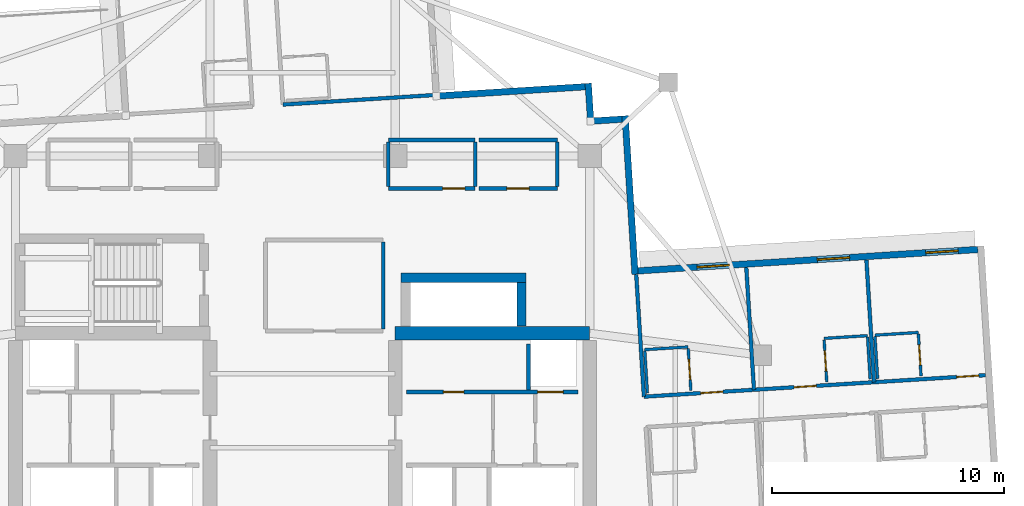
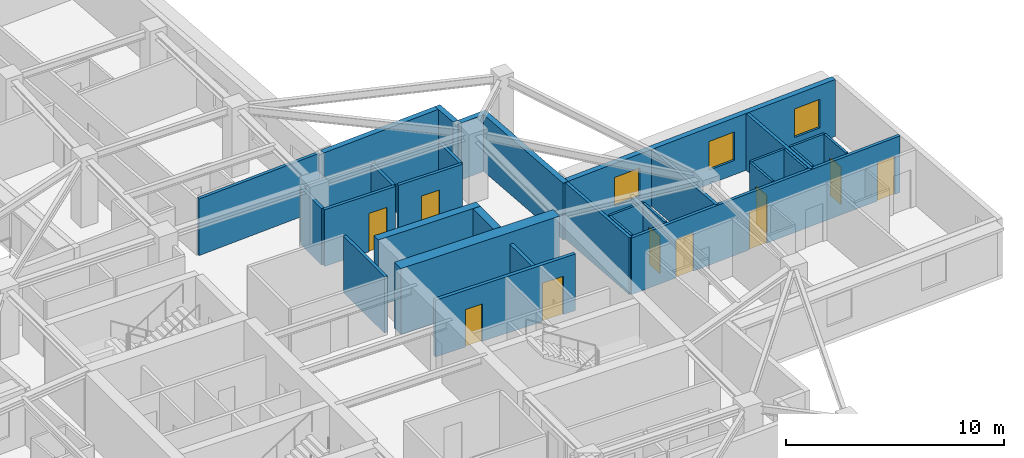
# One storey, part 8 of 13: 32 walls, 10 doors, 3 windows, 13 openings.
"""IFC4 building model written with IfcOpenShell, lengths in metres."""

from ifc_helpers import new_model, si_unit, direction, frame, frame_2d, origin, place, context, subcontext, project, spatial, rectangle, extrude, material, layer, layer_set, type_object, element, fill, save


model = new_model("IFC4")

# Units and contexts
model_context = context("Model", 3, precision=1e-05, world=origin(), true_north=direction((0.0, 1.0)))
body_context = subcontext(model_context, "Body", "Model", "MODEL_VIEW")
ifc_project = project(units=[si_unit("LENGTHUNIT", "METRE"), si_unit("AREAUNIT", "SQUARE_METRE"), si_unit("VOLUMEUNIT", "CUBIC_METRE"), si_unit("PLANEANGLEUNIT", "RADIAN"), si_unit("MASSUNIT", "GRAM", prefix="KILO")], contexts=[model_context])

# Site, building, storey
site_placement = place(None, origin())
site = spatial("IfcSite", under=ifc_project, at=site_placement, CompositionType="ELEMENT")
building_placement = place(site_placement, origin())
building = spatial("IfcBuilding", under=site, at=building_placement, Name="Qingluan Cross Belvedere", CompositionType="ELEMENT")
storey_placement = place(building_placement, frame((0.0, 0.0, 201.300048828125)))
storey = spatial("IfcBuildingStorey", under=building, at=storey_placement, Name="L50", CompositionType="ELEMENT", Elevation=201.300048828125)

# Walls
ifc_material_1 = material(Name="Concrete C50", Category="concrete")
ifc_layer_1 = layer(ifc_material_1, 0.449951171875, Name="CoreShearWall_450")
ifc_layer_set_1 = layer_set([ifc_layer_1], Name="Concrete C50")
wall_type_1 = type_object("IfcWallType", Name="CoreShearWall_450", PredefinedType="SHEAR", material=ifc_layer_set_1)
wall_1_placement = place(storey_placement, frame((4.25, 7.35009765625, 0.0), z_axis=(0.0, 0.0, 1.0), x_axis=(1.0, 0.0, 0.0)))
element("IfcWall", 1, at=wall_1_placement, inside=storey, type_object=wall_type_1, Name="Express shuttle core wall L50-N", PredefinedType="SHEAR", context=body_context, shape_type="SweptSolid", body=[
    extrude(rectangle(XDim=5.39990234375, YDim=0.39990234375, at=frame_2d((2.699951171875, 0.0))), origin(), (0.0, 0.0, 1.0), 3.699951171875),
])
wall_2_placement = place(storey_placement, frame((9.449951171875, 5.2548828125, 0.0), z_axis=(0.0, 0.0, 1.0), x_axis=(0.0, 1.0, 0.0)))
element("IfcWall", 2, at=wall_2_placement, inside=storey, type_object=wall_type_1, Name="Express shuttle core wall L50-E", PredefinedType="SHEAR", context=body_context, shape_type="SweptSolid", body=[
    extrude(rectangle(XDim=1.885009765625, YDim=0.39990234375, at=frame_2d((0.9423828125, 0.0))), origin(), (0.0, 0.0, 1.0), 3.699951171875),
])
ifc_material_2 = material(Name="Concrete C60", Category="concrete")
ifc_layer_2 = layer(ifc_material_2, 0.60009765625, Name="CoreShearWall_600")
ifc_layer_set_2 = layer_set([ifc_layer_2], Name="Concrete C60")
wall_type_2 = type_object("IfcWallType", Name="CoreShearWall_600", PredefinedType="SHEAR", material=ifc_layer_set_2)
wall_3_placement = place(storey_placement, frame((4.0, 4.949951171875, 0.0), z_axis=(0.0, 0.0, 1.0), x_axis=(1.0, 0.0, 0.0)))
element("IfcWall", 3, at=wall_3_placement, inside=storey, type_object=wall_type_2, Name="Split core E shear wall L50-N", PredefinedType="SHEAR", context=body_context, shape_type="SweptSolid", body=[
    extrude(rectangle(XDim=8.39990234375, YDim=0.60009765625, at=frame_2d((4.199951171875, 0.0))), origin(), (0.0, 0.0, 1.0), 3.699951171875),
])

# Wall, opening, door
ifc_material_3 = material(Name="Gypsum plasterboard on steel stud acoustic partition", Category="steel")
ifc_layer_3 = layer(ifc_material_3, 0.159912109375, Name="CorridorPartition_160")
ifc_layer_set_3 = layer_set([ifc_layer_3], Name="Gypsum plasterboard on steel stud acoustic partition")
wall_type_3 = type_object("IfcWallType", Name="CorridorPartition_160", PredefinedType="PARTITIONING", material=ifc_layer_set_3)
wall_4_placement = place(storey_placement, frame((3.699951171875, 11.199951171875, 0.0), z_axis=(0.0, 0.0, 1.0), x_axis=(1.0, 0.0, 0.0)))
wall_4 = element("IfcWall", 4, at=wall_4_placement, inside=storey, type_object=wall_type_3, Name="Partition L50:q_ne1:S", PredefinedType="PARTITIONING", context=body_context, shape_type="SweptSolid", body=[
    extrude(rectangle(XDim=3.75, YDim=0.159912109375, at=frame_2d((1.875, 0.0))), origin(), (0.0, 0.0, 1.0), 3.169921875),
])
opening_1_placement = place(wall_4_placement, frame((2.344970703125, 0.0, 0.0)))
opening_1 = element("IfcOpeningElement", 5, at=opening_1_placement, cuts=wall_4, Name="Opening GD-10", PredefinedType="OPENING", context=body_context, shape_type="SweptSolid", body=[
    extrude(rectangle(XDim=0.9599609375, YDim=2.14990234375, at=frame_2d((0.47998046875, 1.074951171875))), frame((0.0, 0.08984375, 0.0), z_axis=(0.0, -1.0, 0.0), x_axis=(1.0, 0.0, 0.0)), (0.0, 0.0, 1.0), 0.179931640625),
])
ifc_material_4 = material(Name="Timber oak fire-rated acoustic guestroom door", Category="wood")
door_type_1 = type_object("IfcDoorType", Name="GuestEntryDoor_FD60", OperationType="NOTDEFINED", PredefinedType="DOOR", material=ifc_material_4)
door_1_placement = place(opening_1_placement, origin())
door_1 = element("IfcDoor", 6, at=door_1_placement, inside=storey, type_object=door_type_1, Name="Private chef dining room L50 door", OperationType="SINGLE_SWING_RIGHT", OverallHeight=2.14990234375, OverallWidth=0.9599609375, PredefinedType="DOOR", context=body_context, shape_type="SweptSolid", body=[
    extrude(rectangle(XDim=0.9599609375, YDim=2.14990234375, at=frame_2d((0.47998046875, 1.074951171875))), frame((0.0, 0.02490234375, 0.0), z_axis=(0.0, -1.0, 0.0), x_axis=(1.0, 0.0, 0.0)), (0.0, 0.0, 1.0), 0.050048828125),
])
fill(opening_1, door_1)

# Walls
wall_5_placement = place(storey_placement, frame((3.699951171875, 13.300048828125, 0.0), z_axis=(0.0, 0.0, 1.0), x_axis=(1.0, 0.0, 0.0)))
element("IfcWall", 7, at=wall_5_placement, inside=storey, type_object=wall_type_3, Name="Partition L50:q_ne1:N", PredefinedType="PARTITIONING", context=body_context, shape_type="SweptSolid", body=[
    extrude(rectangle(XDim=3.75, YDim=0.159912109375, at=frame_2d((1.875, 0.0))), origin(), (0.0, 0.0, 1.0), 3.169921875),
])
for number, where, z_axis, x_axis, name in (
    (8, (3.699951171875, 11.284912109375, 0.0), (0.0, 0.0, 1.0), (0.0, 1.0, 0.0), "Partition L50:q_ne1:W"),
    (9, (7.449951171875, 11.284912109375, 0.0), (0.0, 0.0, 1.0), (0.0, 1.0, 0.0), "Partition L50:q_ne1:E"),
):
    element("IfcWall", number, at=place(storey_placement, frame(where, z_axis=z_axis, x_axis=x_axis)), inside=storey, type_object=wall_type_3, Name=name, PredefinedType="PARTITIONING", context=body_context, shape_type="SweptSolid", body=[
        extrude(rectangle(XDim=1.93017578125, YDim=0.159912109375, at=frame_2d((0.965087890625, 0.0))), origin(), (0.0, 0.0, 1.0), 3.169921875),
    ])

# Wall, opening, door
wall_6_placement = place(storey_placement, frame((7.610107421875, 11.199951171875, 0.0), z_axis=(0.0, 0.0, 1.0), x_axis=(1.0, 0.0, 0.0)))
wall_6 = element("IfcWall", 10, at=wall_6_placement, inside=storey, type_object=wall_type_3, Name="Partition L50:q_ne2:S", PredefinedType="PARTITIONING", context=body_context, shape_type="SweptSolid", body=[
    extrude(rectangle(XDim=3.389892578125, YDim=0.159912109375, at=frame_2d((1.69482421875, 0.0))), origin(), (0.0, 0.0, 1.0), 3.169921875),
])
opening_2_placement = place(wall_6_placement, frame((1.215087890625, 0.0, 0.0)))
opening_2 = element("IfcOpeningElement", 11, at=opening_2_placement, cuts=wall_6, Name="Opening GD-10", PredefinedType="OPENING", context=body_context, shape_type="SweptSolid", body=[
    extrude(rectangle(XDim=0.9599609375, YDim=2.14990234375, at=frame_2d((0.47998046875, 1.074951171875))), frame((0.0, 0.08984375, 0.0), z_axis=(0.0, -1.0, 0.0), x_axis=(1.0, 0.0, 0.0)), (0.0, 0.0, 1.0), 0.179931640625),
])
door_2_placement = place(opening_2_placement, origin())
door_2 = element("IfcDoor", 12, at=door_2_placement, inside=storey, type_object=door_type_1, Name="Northeast tea salon L50 door", OperationType="SINGLE_SWING_LEFT", OverallHeight=2.14990234375, OverallWidth=0.9599609375, PredefinedType="DOOR", context=body_context, shape_type="SweptSolid", body=[
    extrude(rectangle(XDim=0.9599609375, YDim=2.14990234375, at=frame_2d((0.47998046875, 1.074951171875))), frame((0.0, 0.02490234375, 0.0), z_axis=(0.0, -1.0, 0.0), x_axis=(1.0, 0.0, 0.0)), (0.0, 0.0, 1.0), 0.050048828125),
])
fill(opening_2, door_2)

# Walls
wall_7_placement = place(storey_placement, frame((7.610107421875, 13.300048828125, 0.0), z_axis=(0.0, 0.0, 1.0), x_axis=(1.0, 0.0, 0.0)))
element("IfcWall", 13, at=wall_7_placement, inside=storey, type_object=wall_type_3, Name="Partition L50:q_ne2:N", PredefinedType="PARTITIONING", context=body_context, shape_type="SweptSolid", body=[
    extrude(rectangle(XDim=3.389892578125, YDim=0.159912109375, at=frame_2d((1.69482421875, 0.0))), origin(), (0.0, 0.0, 1.0), 3.169921875),
])
wall_8_placement = place(storey_placement, frame((11.0, 11.284912109375, 0.0), z_axis=(0.0, 0.0, 1.0), x_axis=(0.0, 1.0, 0.0)))
element("IfcWall", 14, at=wall_8_placement, inside=storey, type_object=wall_type_3, Name="Partition L50:q_ne2:E", PredefinedType="PARTITIONING", context=body_context, shape_type="SweptSolid", body=[
    extrude(rectangle(XDim=1.93017578125, YDim=0.159912109375, at=frame_2d((0.965087890625, 0.0))), origin(), (0.0, 0.0, 1.0), 3.169921875),
])
wall_9_placement = place(storey_placement, frame((3.47998046875, 5.135009765625, 0.0), z_axis=(0.0, 0.0, 1.0), x_axis=(0.0, 1.0, 0.0)))
element("IfcWall", 15, at=wall_9_placement, inside=storey, type_object=wall_type_3, Name="Partition L50:sky_tea_alcove:E", PredefinedType="PARTITIONING", context=body_context, shape_type="SweptSolid", body=[
    extrude(rectangle(XDim=3.760009765625, YDim=0.159912109375, at=frame_2d((1.8798828125, 0.0))), origin(), (0.0, 0.0, 1.0), 3.169921875),
])

# Wall, openings, doors
wall_10_placement = place(storey_placement, frame((14.740234375, 2.2099609375, 0.0), z_axis=(0.0, 0.0, 1.0), x_axis=(0.998026529199, 0.062793686106, 0.0)))
wall_10 = element("IfcWall", 16, at=wall_10_placement, inside=storey, type_object=wall_type_3, Name="Partition L50:E:c0", PredefinedType="PARTITIONING", context=body_context, shape_type="SweptSolid", body=[
    extrude(rectangle(XDim=14.781982421875, YDim=0.159912109375, at=frame_2d((7.39111328125, 0.0))), origin(), (0.0, 0.0, 1.0), 3.169921875),
])
opening_3_placement = place(wall_10_placement, frame((2.4560546875, 0.0, 0.0)))
opening_3 = element("IfcOpeningElement", 17, at=opening_3_placement, cuts=wall_10, Name="Opening GD-10", PredefinedType="OPENING", context=body_context, shape_type="SweptSolid", body=[
    extrude(rectangle(XDim=0.9599609375, YDim=2.14990234375, at=frame_2d((0.47998046875, 1.074951171875))), frame((0.0, 0.08984375, 0.0), z_axis=(0.0, -1.0, 0.0), x_axis=(1.0, 0.0, 0.0)), (0.0, 0.0, 1.0), 0.179931640625),
])
opening_4_placement = place(wall_10_placement, frame((6.5009765625, 0.0, 0.0)))
opening_4 = element("IfcOpeningElement", 18, at=opening_4_placement, cuts=wall_10, Name="Opening GD-10", PredefinedType="OPENING", context=body_context, shape_type="SweptSolid", body=[
    extrude(rectangle(XDim=0.9599609375, YDim=2.14990234375, at=frame_2d((0.47998046875, 1.074951171875))), frame((0.0, 0.08984375, 0.0), z_axis=(0.0, -1.0, 0.0), x_axis=(1.0, 0.0, 0.0)), (0.0, 0.0, 1.0), 0.179931640625),
])
opening_5_placement = place(wall_10_placement, frame((13.530029296875, 0.0, 0.0)))
opening_5 = element("IfcOpeningElement", 19, at=opening_5_placement, cuts=wall_10, Name="Opening GD-10", PredefinedType="OPENING", context=body_context, shape_type="SweptSolid", body=[
    extrude(rectangle(XDim=0.9599609375, YDim=2.14990234375, at=frame_2d((0.47998046875, 1.074951171875))), frame((0.0, 0.08984375, 0.0), z_axis=(0.0, -1.0, 0.0), x_axis=(1.0, 0.0, 0.0)), (0.0, 0.0, 1.0), 0.179931640625),
])
door_3_placement = place(opening_3_placement, origin())
door_3 = element("IfcDoor", 20, at=door_3_placement, inside=storey, type_object=door_type_1, Name="Guest entry fire door 5001", OperationType="SINGLE_SWING_LEFT", OverallHeight=2.14990234375, OverallWidth=0.9599609375, PredefinedType="DOOR", context=body_context, shape_type="SweptSolid", body=[
    extrude(rectangle(XDim=0.9599609375, YDim=2.14990234375, at=frame_2d((0.47998046875, 1.074951171875))), frame((0.0, 0.02490234375, 0.0), z_axis=(0.0, -1.0, 0.0), x_axis=(1.0, 0.0, 0.0)), (0.0, 0.0, 1.0), 0.050048828125),
])
fill(opening_3, door_3)
door_4_placement = place(opening_4_placement, origin())
door_4 = element("IfcDoor", 21, at=door_4_placement, inside=storey, type_object=door_type_1, Name="Guest entry fire door 5002", OperationType="SINGLE_SWING_LEFT", OverallHeight=2.14990234375, OverallWidth=0.9599609375, PredefinedType="DOOR", context=body_context, shape_type="SweptSolid", body=[
    extrude(rectangle(XDim=0.9599609375, YDim=2.14990234375, at=frame_2d((0.47998046875, 1.074951171875))), frame((0.0, 0.02490234375, 0.0), z_axis=(0.0, -1.0, 0.0), x_axis=(1.0, 0.0, 0.0)), (0.0, 0.0, 1.0), 0.050048828125),
])
fill(opening_4, door_4)
door_5_placement = place(opening_5_placement, origin())
door_5 = element("IfcDoor", 22, at=door_5_placement, inside=storey, type_object=door_type_1, Name="Guest entry fire door 5003", OperationType="SINGLE_SWING_LEFT", OverallHeight=2.14990234375, OverallWidth=0.9599609375, PredefinedType="DOOR", context=body_context, shape_type="SweptSolid", body=[
    extrude(rectangle(XDim=0.9599609375, YDim=2.14990234375, at=frame_2d((0.47998046875, 1.074951171875))), frame((0.0, 0.02490234375, 0.0), z_axis=(0.0, -1.0, 0.0), x_axis=(1.0, 0.0, 0.0)), (0.0, 0.0, 1.0), 0.050048828125),
])
fill(opening_5, door_5)

# Walls
for number, where, z_axis, x_axis, name in (
    (23, (14.740234375, 2.2099609375, 0.0), (0.0, 0.0, 1.0), (-0.062789003246, 0.998026823824, 0.0), "Partition L50:E:s0"),
    (24, (19.493896484375, 2.509033203125, 0.0), (0.0, 0.0, 1.0), (-0.062789003246, 0.998026823824, 0.0), "Partition L50:E:d0_0"),
    (25, (24.681640625, 2.83544921875, 0.0), (0.0, 0.0, 1.0), (-0.062789003246, 0.998026823824, 0.0), "Partition L50:E:d0_1"),
):
    element("IfcWall", number, at=place(storey_placement, frame(where, z_axis=z_axis, x_axis=x_axis)), inside=storey, type_object=wall_type_3, Name=name, PredefinedType="PARTITIONING", context=body_context, shape_type="SweptSolid", body=[
        extrude(rectangle(XDim=5.2919921875, YDim=0.159912109375, at=frame_2d((2.64599609375, 0.0))), origin(), (0.0, 0.0, 1.0), 3.169921875),
    ])
wall_11_placement = place(storey_placement, frame((-0.8525390625, 14.82568359375, 0.0), z_axis=(0.0, 0.0, 1.0), x_axis=(0.998026165557, 0.062799465472, 0.0)))
element("IfcWall", 26, at=wall_11_placement, inside=storey, type_object=wall_type_3, Name="Partition L50:N:s0", PredefinedType="PARTITIONING", context=body_context, shape_type="SweptSolid", body=[
    extrude(rectangle(XDim=6.64013671875, YDim=0.159912109375, at=frame_2d((3.320068359375, 0.0))), origin(), (0.0, 0.0, 1.0), 3.169921875),
])

# Wall, opening, door
ifc_material_5 = material(Name="Moisture-resistant gypsum board lining")
ifc_layer_4 = layer(ifc_material_5, 0.1201171875, Name="EnsuiteWetPartition_120")
ifc_layer_set_4 = layer_set([ifc_layer_4], Name="Moisture-resistant gypsum board lining")
wall_type_4 = type_object("IfcWallType", Name="EnsuiteWetPartition_120", PredefinedType="PARTITIONING", material=ifc_layer_set_4)
wall_12_placement = place(storey_placement, frame((16.767578125, 2.477783203125, 0.0), z_axis=(0.0, 0.0, 1.0), x_axis=(-0.062779145668, 0.998027443946, 0.0)))
wall_12 = element("IfcWall", 27, at=wall_12_placement, inside=storey, type_object=wall_type_4, Name="Partition L50:E:bs0_0", PredefinedType="PARTITIONING", context=body_context, shape_type="SweptSolid", body=[
    extrude(rectangle(XDim=1.820068359375, YDim=0.1201171875, at=frame_2d((0.91015625, 0.0))), origin(), (0.0, 0.0, 1.0), 3.169921875),
])
opening_6_placement = place(wall_12_placement, frame((0.469970703125, 0.0, 0.0)))
opening_6 = element("IfcOpeningElement", 28, at=opening_6_placement, cuts=wall_12, Name="Opening BD-09", PredefinedType="OPENING", context=body_context, shape_type="SweptSolid", body=[
    extrude(rectangle(XDim=0.8798828125, YDim=2.10009765625, at=frame_2d((0.43994140625, 1.050048828125))), frame((0.0, 0.070068359375, 0.0), z_axis=(0.0, -1.0, 0.0), x_axis=(1.0, 0.0, 0.0)), (0.0, 0.0, 1.0), 0.14013671875),
])
ifc_material_6 = material(Name="Moisture-sealed timber en-suite door", Category="wood")
door_type_2 = type_object("IfcDoorType", Name="BathroomDoor_880", OperationType="NOTDEFINED", PredefinedType="DOOR", material=ifc_material_6)
door_6_placement = place(opening_6_placement, origin())
door_6 = element("IfcDoor", 29, at=door_6_placement, inside=storey, type_object=door_type_2, Name="Bathroom door 5001", OperationType="SINGLE_SWING_RIGHT", OverallHeight=2.10009765625, OverallWidth=0.8798828125, PredefinedType="DOOR", context=body_context, shape_type="SweptSolid", body=[
    extrude(rectangle(XDim=0.8798828125, YDim=2.10009765625, at=frame_2d((0.43994140625, 1.050048828125))), frame((0.0, 0.02490234375, 0.0), z_axis=(0.0, -1.0, 0.0), x_axis=(1.0, 0.0, 0.0)), (0.0, 0.0, 1.0), 0.050048828125),
])
fill(opening_6, door_6)

# Walls
wall_13_placement = place(storey_placement, frame((14.89111328125, 2.359619140625, 0.0), z_axis=(0.0, 0.0, 1.0), x_axis=(-0.062779145668, 0.998027443946, 0.0)))
element("IfcWall", 30, at=wall_13_placement, inside=storey, type_object=wall_type_4, Name="Partition L50:E:bw0_0", PredefinedType="PARTITIONING", context=body_context, shape_type="SweptSolid", body=[
    extrude(rectangle(XDim=1.820068359375, YDim=0.1201171875, at=frame_2d((0.91015625, 0.0))), origin(), (0.0, 0.0, 1.0), 3.169921875),
])
wall_14_placement = place(storey_placement, frame((14.77294921875, 4.240966796875, 0.0), z_axis=(0.0, 0.0, 1.0), x_axis=(0.998030789148, 0.062725942896, 0.0)))
element("IfcWall", 31, at=wall_14_placement, inside=storey, type_object=wall_type_4, Name="Partition L50:E:bn0_0", PredefinedType="PARTITIONING", context=body_context, shape_type="SweptSolid", body=[
    extrude(rectangle(XDim=1.8798828125, YDim=0.1201171875, at=frame_2d((0.93994140625, 0.0))), origin(), (0.0, 0.0, 1.0), 3.169921875),
])

# Wall, opening, door
wall_15_placement = place(storey_placement, frame((22.636962890625, 2.846923828125, 0.0), z_axis=(0.0, 0.0, 1.0), x_axis=(-0.062779145668, 0.998027443946, 0.0)))
wall_15 = element("IfcWall", 32, at=wall_15_placement, inside=storey, type_object=wall_type_4, Name="Partition L50:E:bs0_1", PredefinedType="PARTITIONING", context=body_context, shape_type="SweptSolid", body=[
    extrude(rectangle(XDim=1.820068359375, YDim=0.1201171875, at=frame_2d((0.91015625, 0.0))), origin(), (0.0, 0.0, 1.0), 3.169921875),
])
opening_7_placement = place(wall_15_placement, frame((0.469970703125, 0.0, 0.0)))
opening_7 = element("IfcOpeningElement", 33, at=opening_7_placement, cuts=wall_15, Name="Opening BD-09", PredefinedType="OPENING", context=body_context, shape_type="SweptSolid", body=[
    extrude(rectangle(XDim=0.8798828125, YDim=2.10009765625, at=frame_2d((0.43994140625, 1.050048828125))), frame((0.0, 0.070068359375, 0.0), z_axis=(0.0, -1.0, 0.0), x_axis=(1.0, 0.0, 0.0)), (0.0, 0.0, 1.0), 0.14013671875),
])
door_7_placement = place(opening_7_placement, origin())
door_7 = element("IfcDoor", 34, at=door_7_placement, inside=storey, type_object=door_type_2, Name="Bathroom door 5002", OperationType="SINGLE_SWING_RIGHT", OverallHeight=2.10009765625, OverallWidth=0.8798828125, PredefinedType="DOOR", context=body_context, shape_type="SweptSolid", body=[
    extrude(rectangle(XDim=0.8798828125, YDim=2.10009765625, at=frame_2d((0.43994140625, 1.050048828125))), frame((0.0, 0.02490234375, 0.0), z_axis=(0.0, -1.0, 0.0), x_axis=(1.0, 0.0, 0.0)), (0.0, 0.0, 1.0), 0.050048828125),
])
fill(opening_7, door_7)

# Walls
wall_16_placement = place(storey_placement, frame((24.51318359375, 2.965087890625, 0.0), z_axis=(0.0, 0.0, 1.0), x_axis=(-0.062779145668, 0.998027443946, 0.0)))
element("IfcWall", 35, at=wall_16_placement, inside=storey, type_object=wall_type_4, Name="Partition L50:E:bw0_1", PredefinedType="PARTITIONING", context=body_context, shape_type="SweptSolid", body=[
    extrude(rectangle(XDim=1.820068359375, YDim=0.1201171875, at=frame_2d((0.91015625, 0.0))), origin(), (0.0, 0.0, 1.0), 3.169921875),
])
wall_17_placement = place(storey_placement, frame((22.5185546875, 4.728271484375, 0.0), z_axis=(0.0, 0.0, 1.0), x_axis=(0.998030789148, 0.062725942896, 0.0)))
element("IfcWall", 36, at=wall_17_placement, inside=storey, type_object=wall_type_4, Name="Partition L50:E:bn0_1", PredefinedType="PARTITIONING", context=body_context, shape_type="SweptSolid", body=[
    extrude(rectangle(XDim=1.8798828125, YDim=0.1201171875, at=frame_2d((0.93994140625, 0.0))), origin(), (0.0, 0.0, 1.0), 3.169921875),
])

# Wall, opening, door
wall_18_placement = place(storey_placement, frame((26.708984375, 3.103271484375, 0.0), z_axis=(0.0, 0.0, 1.0), x_axis=(-0.062912758763, 0.998019030272, 0.0)))
wall_18 = element("IfcWall", 37, at=wall_18_placement, inside=storey, type_object=wall_type_4, Name="Partition L50:E:bs0_2", PredefinedType="PARTITIONING", context=body_context, shape_type="SweptSolid", body=[
    extrude(rectangle(XDim=1.820068359375, YDim=0.1201171875, at=frame_2d((0.91015625, 0.0))), origin(), (0.0, 0.0, 1.0), 3.169921875),
])
opening_8_placement = place(wall_18_placement, frame((0.469970703125, 0.0, 0.0)))
opening_8 = element("IfcOpeningElement", 38, at=opening_8_placement, cuts=wall_18, Name="Opening BD-09", PredefinedType="OPENING", context=body_context, shape_type="SweptSolid", body=[
    extrude(rectangle(XDim=0.8798828125, YDim=2.10009765625, at=frame_2d((0.43994140625, 1.050048828125))), frame((0.0, 0.070068359375, 0.0), z_axis=(0.0, -1.0, 0.0), x_axis=(1.0, 0.0, 0.0)), (0.0, 0.0, 1.0), 0.14013671875),
])
door_8_placement = place(opening_8_placement, origin())
door_8 = element("IfcDoor", 39, at=door_8_placement, inside=storey, type_object=door_type_2, Name="Bathroom door 5003", OperationType="SINGLE_SWING_RIGHT", OverallHeight=2.10009765625, OverallWidth=0.8798828125, PredefinedType="DOOR", context=body_context, shape_type="SweptSolid", body=[
    extrude(rectangle(XDim=0.8798828125, YDim=2.10009765625, at=frame_2d((0.43994140625, 1.050048828125))), frame((0.0, 0.02490234375, 0.0), z_axis=(0.0, -1.0, 0.0), x_axis=(1.0, 0.0, 0.0)), (0.0, 0.0, 1.0), 0.050048828125),
])
fill(opening_8, door_8)

# Walls
wall_19_placement = place(storey_placement, frame((24.83251953125, 2.985107421875, 0.0), z_axis=(0.0, 0.0, 1.0), x_axis=(-0.062779145668, 0.998027443946, 0.0)))
element("IfcWall", 40, at=wall_19_placement, inside=storey, type_object=wall_type_4, Name="Partition L50:E:bw0_2", PredefinedType="PARTITIONING", context=body_context, shape_type="SweptSolid", body=[
    extrude(rectangle(XDim=1.820068359375, YDim=0.1201171875, at=frame_2d((0.91015625, 0.0))), origin(), (0.0, 0.0, 1.0), 3.169921875),
])
wall_20_placement = place(storey_placement, frame((24.714111328125, 4.866455078125, 0.0), z_axis=(0.0, 0.0, 1.0), x_axis=(0.998023163794, 0.062847152131, 0.0)))
element("IfcWall", 41, at=wall_20_placement, inside=storey, type_object=wall_type_4, Name="Partition L50:E:bn0_2", PredefinedType="PARTITIONING", context=body_context, shape_type="SweptSolid", body=[
    extrude(rectangle(XDim=1.880126953125, YDim=0.1201171875, at=frame_2d((0.93994140625, 0.0))), origin(), (0.0, 0.0, 1.0), 3.169921875),
])

# Wall, openings, windows
ifc_material_7 = material(Name="Precast concrete C45", Category="concrete")
ifc_layer_5 = layer(ifc_material_7, 0.280029296875, Name="PrecastFacadeWall_280")
ifc_layer_set_5 = layer_set([ifc_layer_5], Name="Precast concrete C45")
wall_type_5 = type_object("IfcWallType", Name="PrecastFacadeWall_280", PredefinedType="STANDARD", material=ifc_layer_set_5)
wall_21_placement = place(storey_placement, frame((29.15966796875, 8.56787109375, 0.0), z_axis=(0.0, 0.0, 1.0), x_axis=(-0.998026448555, -0.062794967833, 0.0)))
wall_21 = element("IfcWall", 42, at=wall_21_placement, inside=storey, type_object=wall_type_5, Name="Facade wall L50-EB", PredefinedType="STANDARD", context=body_context, shape_type="SweptSolid", body=[
    extrude(rectangle(XDim=14.7001953125, YDim=0.280029296875, at=frame_2d((7.35009765625, 0.0))), origin(), (0.0, 0.0, 1.0), 3.179931640625),
])
opening_9_placement = place(wall_21_placement, frame((0.85009765625, 0.0, 0.800048828125)))
opening_9 = element("IfcOpeningElement", 43, at=opening_9_placement, cuts=wall_21, Name="Opening W-01", PredefinedType="OPENING", context=body_context, shape_type="SweptSolid", body=[
    extrude(rectangle(XDim=1.39990234375, YDim=1.60009765625, at=frame_2d((0.699951171875, 0.800048828125))), frame((0.0, 0.14990234375, 0.0), z_axis=(0.0, -1.0, 0.0), x_axis=(1.0, 0.0, 0.0)), (0.0, 0.0, 1.0), 0.300048828125),
])
opening_10_placement = place(wall_21_placement, frame((5.550048828125, 0.0, 0.800048828125)))
opening_10 = element("IfcOpeningElement", 44, at=opening_10_placement, cuts=wall_21, Name="Opening W-01", PredefinedType="OPENING", context=body_context, shape_type="SweptSolid", body=[
    extrude(rectangle(XDim=1.39990234375, YDim=1.60009765625, at=frame_2d((0.699951171875, 0.800048828125))), frame((0.0, 0.14990234375, 0.0), z_axis=(0.0, -1.0, 0.0), x_axis=(1.0, 0.0, 0.0)), (0.0, 0.0, 1.0), 0.300048828125),
])
opening_11_placement = place(wall_21_placement, frame((10.75, 0.0, 0.800048828125)))
opening_11 = element("IfcOpeningElement", 45, at=opening_11_placement, cuts=wall_21, Name="Opening W-01", PredefinedType="OPENING", context=body_context, shape_type="SweptSolid", body=[
    extrude(rectangle(XDim=1.39990234375, YDim=1.60009765625, at=frame_2d((0.699951171875, 0.800048828125))), frame((0.0, 0.14990234375, 0.0), z_axis=(0.0, -1.0, 0.0), x_axis=(1.0, 0.0, 0.0)), (0.0, 0.0, 1.0), 0.300048828125),
])
ifc_material_8 = material(Name="Thermally broken triple Low-E glass in aluminium frame", Category="aluminium")
window_type = type_object("IfcWindowType", Name="TriRibbonWin_1400x1600", PartitioningType="SINGLE_PANEL", PredefinedType="WINDOW", material=ifc_material_8)
window_1_placement = place(opening_9_placement, origin())
window_1 = element("IfcWindow", 46, at=window_1_placement, inside=storey, type_object=window_type, Name="Ribbon window L50-EB-1", OverallHeight=1.60009765625, OverallWidth=1.39990234375, PartitioningType="SINGLE_PANEL", PredefinedType="WINDOW", context=body_context, shape_type="SweptSolid", body=[
    extrude(rectangle(XDim=1.39990234375, YDim=1.60009765625, at=frame_2d((0.699951171875, 0.800048828125))), frame((0.0, 0.030029296875, 0.0), z_axis=(0.0, -1.0, 0.0), x_axis=(1.0, 0.0, 0.0)), (0.0, 0.0, 1.0), 0.06005859375),
])
fill(opening_9, window_1)
window_2_placement = place(opening_10_placement, origin())
window_2 = element("IfcWindow", 47, at=window_2_placement, inside=storey, type_object=window_type, Name="Ribbon window L50-EB-2", OverallHeight=1.60009765625, OverallWidth=1.39990234375, PartitioningType="SINGLE_PANEL", PredefinedType="WINDOW", context=body_context, shape_type="SweptSolid", body=[
    extrude(rectangle(XDim=1.39990234375, YDim=1.60009765625, at=frame_2d((0.699951171875, 0.800048828125))), frame((0.0, 0.030029296875, 0.0), z_axis=(0.0, -1.0, 0.0), x_axis=(1.0, 0.0, 0.0)), (0.0, 0.0, 1.0), 0.06005859375),
])
fill(opening_10, window_2)
window_3_placement = place(opening_11_placement, origin())
window_3 = element("IfcWindow", 48, at=window_3_placement, inside=storey, type_object=window_type, Name="Ribbon window L50-EB-3", OverallHeight=1.60009765625, OverallWidth=1.39990234375, PartitioningType="SINGLE_PANEL", PredefinedType="WINDOW", context=body_context, shape_type="SweptSolid", body=[
    extrude(rectangle(XDim=1.39990234375, YDim=1.60009765625, at=frame_2d((0.699951171875, 0.800048828125))), frame((0.0, 0.030029296875, 0.0), z_axis=(0.0, -1.0, 0.0), x_axis=(1.0, 0.0, 0.0)), (0.0, 0.0, 1.0), 0.06005859375),
])
fill(opening_11, window_3)

# Walls
wall_22_placement = place(storey_placement, frame((14.357666015625, 7.496337890625, 0.0), z_axis=(0.0, 0.0, 1.0), x_axis=(-0.062779317195, 0.998027433156, 0.0)))
element("IfcWall", 49, at=wall_22_placement, inside=storey, type_object=wall_type_5, Name="Corner wall L50-NE1", PredefinedType="STANDARD", context=body_context, shape_type="SweptSolid", body=[
    extrude(rectangle(XDim=6.85986328125, YDim=0.280029296875, at=frame_2d((3.429931640625, 0.0))), origin(), (0.0, 0.0, 1.0), 3.179931640625),
])
wall_23_placement = place(storey_placement, frame((13.7958984375, 14.1943359375, 0.0), z_axis=(0.0, 0.0, 1.0), x_axis=(-0.998023660242, -0.06283926796, 0.0)))
element("IfcWall", 50, at=wall_23_placement, inside=storey, type_object=wall_type_5, Name="Corner wall L50-NE2", PredefinedType="STANDARD", context=body_context, shape_type="SweptSolid", body=[
    extrude(rectangle(XDim=1.219970703125, YDim=0.280029296875, at=frame_2d((0.60986328125, 0.0))), origin(), (0.0, 0.0, 1.0), 3.179931640625),
])
wall_24_placement = place(storey_placement, frame((12.429931640625, 14.24853515625, 0.0), z_axis=(0.0, 0.0, 1.0), x_axis=(-0.062824119533, 0.998024613927, 0.0)))
element("IfcWall", 51, at=wall_24_placement, inside=storey, type_object=wall_type_5, Name="Corner wall L50-NE3", PredefinedType="STANDARD", context=body_context, shape_type="SweptSolid", body=[
    extrude(rectangle(XDim=1.5, YDim=0.280029296875, at=frame_2d((0.75, 0.0))), origin(), (0.0, 0.0, 1.0), 3.179931640625),
])
wall_25_placement = place(storey_placement, frame((12.20458984375, 15.59716796875, 0.0), z_axis=(0.0, 0.0, 1.0), x_axis=(-0.998024885752, -0.062819801181, 0.0)))
element("IfcWall", 52, at=wall_25_placement, inside=storey, type_object=wall_type_5, Name="Corner wall L50-NE4", PredefinedType="STANDARD", context=body_context, shape_type="SweptSolid", body=[
    extrude(rectangle(XDim=6.2998046875, YDim=0.280029296875, at=frame_2d((3.14990234375, 0.0))), origin(), (0.0, 0.0, 1.0), 3.179931640625),
])

# Wall, openings, doors
ifc_material_9 = material(Name="Concrete C40", Category="concrete")
ifc_layer_6 = layer(ifc_material_9, 0.219970703125, Name="ShaftEnclosureWall_250")
ifc_layer_set_6 = layer_set([ifc_layer_6], Name="Concrete C40")
wall_type_6 = type_object("IfcWallType", Name="ShaftEnclosureWall_250", PredefinedType="SOLIDWALL", material=ifc_layer_set_6)
wall_26_placement = place(storey_placement, frame((4.47998046875, 2.409912109375, 0.0), z_axis=(0.0, 0.0, 1.0), x_axis=(1.0, 0.0, 0.0)))
wall_26 = element("IfcWall", 53, at=wall_26_placement, inside=storey, type_object=wall_type_6, Name="Core-E north hoistway wall L50", PredefinedType="SOLIDWALL", context=body_context, shape_type="SweptSolid", body=[
    extrude(rectangle(XDim=7.419921875, YDim=0.179931640625, at=frame_2d((3.7099609375, 0.0))), origin(), (0.0, 0.0, 1.0), 3.169921875),
])
opening_12_placement = place(wall_26_placement, frame((5.669921875, 0.0, 0.0)))
opening_12 = element("IfcOpeningElement", 54, at=opening_12_placement, cuts=wall_26, Name="Opening LD-11", PredefinedType="OPENING", context=body_context, shape_type="SweptSolid", body=[
    extrude(rectangle(XDim=1.10009765625, YDim=2.14990234375, at=frame_2d((0.550048828125, 1.074951171875))), frame((0.0, 0.099853515625, 0.0), z_axis=(0.0, -1.0, 0.0), x_axis=(1.0, 0.0, 0.0)), (0.0, 0.0, 1.0), 0.199951171875),
])
opening_13_placement = place(wall_26_placement, frame((1.60009765625, 0.0, 0.0)))
opening_13 = element("IfcOpeningElement", 55, at=opening_13_placement, cuts=wall_26, Name="Opening FD-B10", PredefinedType="OPENING", context=body_context, shape_type="SweptSolid", body=[
    extrude(rectangle(XDim=0.8798828125, YDim=2.10009765625, at=frame_2d((0.43994140625, 1.050048828125))), frame((0.0, 0.099853515625, 0.0), z_axis=(0.0, -1.0, 0.0), x_axis=(1.0, 0.0, 0.0)), (0.0, 0.0, 1.0), 0.199951171875),
])
ifc_material_10 = material(Name="Brushed stainless steel centre-opening lift landing door", Category="steel")
door_type_3 = type_object("IfcDoorType", Name="LiftLandingSlidingDoor_1100", OperationType="DOUBLE_DOOR_SLIDING", PredefinedType="DOOR", material=ifc_material_10)
door_9_placement = place(opening_12_placement, origin())
door_9 = element("IfcDoor", 56, at=door_9_placement, inside=storey, type_object=door_type_3, Name="Lift landing sliding door FL2 L50", OperationType="DOUBLE_DOOR_SLIDING", OverallHeight=2.14990234375, OverallWidth=1.10009765625, PredefinedType="DOOR", context=body_context, shape_type="SweptSolid", body=[
    extrude(rectangle(XDim=1.10009765625, YDim=2.14990234375, at=frame_2d((0.550048828125, 1.074951171875))), frame((0.0, 0.02490234375, 0.0), z_axis=(0.0, -1.0, 0.0), x_axis=(1.0, 0.0, 0.0)), (0.0, 0.0, 1.0), 0.050048828125),
])
fill(opening_12, door_9)
ifc_material_11 = material(Name="Steel Class B service fire door", Category="steel")
door_type_4 = type_object("IfcDoorType", Name="RiserServiceFireDoor_FDB", OperationType="NOTDEFINED", PredefinedType="DOOR", material=ifc_material_11)
door_10_placement = place(opening_13_placement, origin())
door_10 = element("IfcDoor", 57, at=door_10_placement, inside=storey, type_object=door_type_4, Name="Pantry room door E L50", OperationType="SINGLE_SWING_RIGHT", OverallHeight=2.10009765625, OverallWidth=0.8798828125, PredefinedType="DOOR", context=body_context, shape_type="SweptSolid", body=[
    extrude(rectangle(XDim=0.8798828125, YDim=2.10009765625, at=frame_2d((0.43994140625, 1.050048828125))), frame((0.0, 0.02490234375, 0.0), z_axis=(0.0, -1.0, 0.0), x_axis=(1.0, 0.0, 0.0)), (0.0, 0.0, 1.0), 0.050048828125),
])
fill(opening_13, door_10)

# Wall
wall_27_placement = place(storey_placement, frame((9.760009765625, 2.5, 0.0), z_axis=(0.0, 0.0, 1.0), x_axis=(0.0, 1.0, 0.0)))
element("IfcWall", 58, at=wall_27_placement, inside=storey, type_object=wall_type_6, Name="Hoistway enclosure divider FL2W L50", PredefinedType="SOLIDWALL", context=body_context, shape_type="SweptSolid", body=[
    extrude(rectangle(XDim=1.989990234375, YDim=0.179931640625, at=frame_2d((0.9951171875, 0.0))), origin(), (0.0, 0.0, 1.0), 3.169921875),
])

save(model, "model.ifc")
